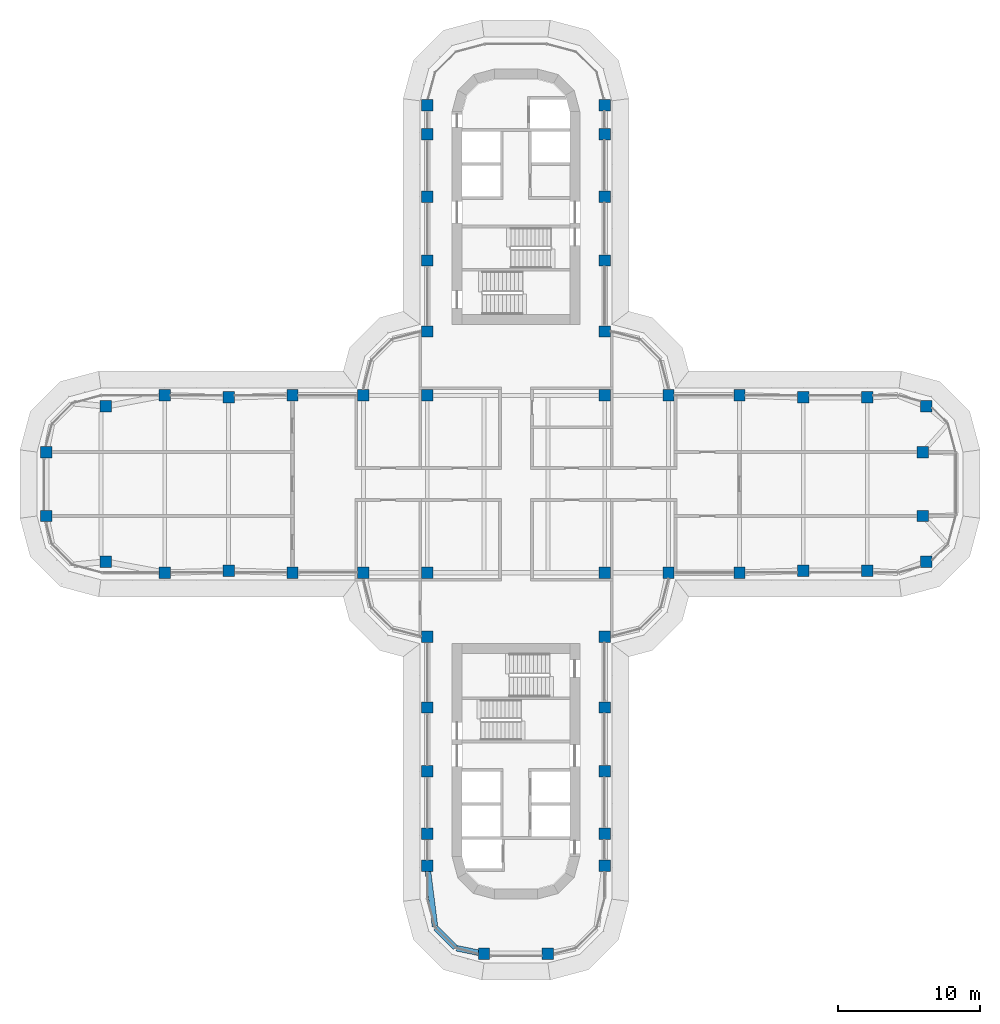
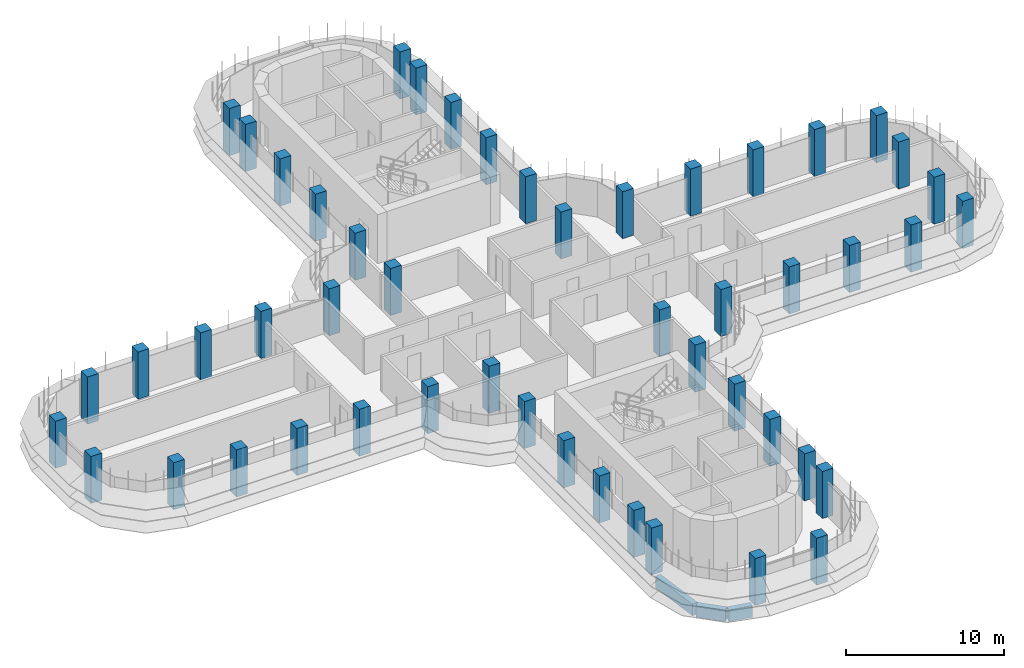
# One storey, part 1 of 20: 50 columns, 3 beams.
"""IFC4 building model written with IfcOpenShell, lengths in metres."""

import ifcopenshell
import ifcopenshell.guid

model = None  # the IFC model being written
_history = None  # IfcOwnerHistory: only IFC2X3 demands one
_inside = {}  # id of a spatial element -> (the spatial element, [elements in it])
_under = {}  # id of a project, library or spatial element -> (it, [spatial elements below it])
_declared = {}  # id of a project -> (the project, [libraries it declares])
_typed = {}  # id of a type object -> (the type object, [elements of that type])
_made_of = {}  # id of a material, layer set ... -> (it, [elements and type objects made of it])


def new_model(schema):
    """Start an empty IFC model of exactly this schema.

    Asked for "IFC4X3", IfcOpenShell would pick the latest addendum, in which some entities
    have other attributes; the version numbers below select the first issue.
    IFC2X3 requires an IfcOwnerHistory on every rooted entity: one is made here for all.
    """
    global model, _history
    if schema == "IFC4X3":
        model = ifcopenshell.file(schema_version=(4, 3, 0, 0))
    else:
        model = ifcopenshell.file(schema=schema)
    _inside.clear()
    _under.clear()
    _declared.clear()
    _typed.clear()
    _made_of.clear()
    _history = None
    if model.schema == "IFC2X3":
        org = make("IfcOrganization", Name="unknown")
        user = make(
            "IfcPersonAndOrganization",
            ThePerson=make("IfcPerson", FamilyName="unknown"),
            TheOrganization=org,
        )
        app = make(
            "IfcApplication",
            ApplicationDeveloper=org,
            Version="unknown",
            ApplicationFullName="unknown",
            ApplicationIdentifier="unknown",
        )
        _history = make(
            "IfcOwnerHistory",
            OwningUser=user,
            OwningApplication=app,
            ChangeAction="ADDED",
            CreationDate=0,
        )
    return model


def make(cls, **values):
    """One entity of the class cls with the attributes given. An attribute that is None is left unset."""
    return model.create_entity(
        cls, **{name: value for name, value in values.items() if value is not None}
    )


def rooted(cls, **values):
    """An entity with a GlobalId (a new one), such as an element, a storey or a relation."""
    return make(cls, GlobalId=ifcopenshell.guid.new(), OwnerHistory=_history, **values)


def si_unit(unit_type, name, prefix=None):
    """IfcSIUnit, for example si_unit("LENGTHUNIT", "METRE", prefix="MILLI")."""
    return make("IfcSIUnit", UnitType=unit_type, Prefix=prefix, Name=name)


def assignment(units):
    """IfcUnitAssignment: the units of a project."""
    return None if units is None else make("IfcUnitAssignment", Units=units)


def point(xyz):
    """IfcCartesianPoint."""
    return None if xyz is None else make("IfcCartesianPoint", Coordinates=xyz)


def direction(xyz):
    """IfcDirection."""
    return None if xyz is None else make("IfcDirection", DirectionRatios=xyz)


def frame(location, z_axis=None, x_axis=None):
    """IfcAxis2Placement3D, a coordinate frame: its origin and axes. An axis left out is left unset."""
    return make(
        "IfcAxis2Placement3D",
        Location=point(location),
        Axis=direction(z_axis),
        RefDirection=direction(x_axis),
    )


def frame_2d(location, x_axis=None):
    """IfcAxis2Placement2D, a coordinate frame in the plane: its origin and x axis."""
    return make(
        "IfcAxis2Placement2D", Location=point(location), RefDirection=direction(x_axis)
    )


def origin():
    """The frame at (0, 0, 0) with its axes left unset."""
    return frame((0.0, 0.0, 0.0))


def origin_2d():
    """The frame at (0, 0) in the plane with its x axis left unset."""
    return frame_2d((0.0, 0.0))


def place(relative_to, where):
    """IfcLocalPlacement: puts the frame where relative to a parent placement (None: the world)."""
    return make(
        "IfcLocalPlacement", PlacementRelTo=relative_to, RelativePlacement=where
    )


def context(
    kind, dimensions, precision=None, world=None, true_north=None, identifier=None
):
    """IfcGeometricRepresentationContext, for example the 3D "Model" context."""
    return make(
        "IfcGeometricRepresentationContext",
        ContextIdentifier=identifier,
        ContextType=kind,
        CoordinateSpaceDimension=dimensions,
        Precision=precision,
        WorldCoordinateSystem=world,
        TrueNorth=true_north,
    )


def subcontext(parent, identifier, kind, view, scale=None):
    """IfcGeometricRepresentationSubContext, for example "Body" below "Model"."""
    return make(
        "IfcGeometricRepresentationSubContext",
        ContextIdentifier=identifier,
        ContextType=kind,
        ParentContext=parent,
        TargetScale=scale,
        TargetView=view,
    )


def project(units=None, contexts=None):
    """IfcProject with its units and contexts."""
    return rooted(
        "IfcProject",
        Name="project",
        RepresentationContexts=contexts,
        UnitsInContext=assignment(units),
    )


def spatial(cls, under=None, at=None, **own):
    """A site, building, storey or space (cls), placed at a placement, below another one or the project."""
    s = rooted(cls, ObjectPlacement=at, **own)
    if under is not None:
        _under.setdefault(under.id(), (under, []))[1].append(s)
    return s


def profile(cls, at=None, kind="AREA", **sizes):
    """A parametric profile (cls). Its sizes go by their IFC names, for example OverallWidth=200.0."""
    return make(cls, ProfileType=kind, Position=at, **sizes)


def rectangle(**sizes):
    """IfcRectangleProfileDef."""
    return profile("IfcRectangleProfileDef", **sizes)


def extrude(swept, where, along, depth):
    """IfcExtrudedAreaSolid: the profile swept, set in the frame where, extruded along a direction by depth."""
    return make(
        "IfcExtrudedAreaSolid",
        SweptArea=swept,
        Position=where,
        ExtrudedDirection=direction(along),
        Depth=depth,
    )


def shape(context_of_items, identifier, shape_type, items):
    """IfcShapeRepresentation: the items that make up one representation, for example the "Body"."""
    return make(
        "IfcShapeRepresentation",
        ContextOfItems=context_of_items,
        RepresentationIdentifier=identifier,
        RepresentationType=shape_type,
        Items=items,
    )


def material(Name=None, Category=None):
    """IfcMaterial."""
    return make("IfcMaterial", Name=Name, Category=Category)


def material_profile(
    of_material, cross_section, Name=None, Category=None, Priority=None
):
    """IfcMaterialProfile: a cross section and its material."""
    return make(
        "IfcMaterialProfile",
        Name=Name,
        Material=of_material,
        Profile=cross_section,
        Priority=Priority,
        Category=Category,
    )


def profile_set(profiles, Name=None, composite=None):
    """IfcMaterialProfileSet."""
    return make(
        "IfcMaterialProfileSet",
        Name=Name,
        MaterialProfiles=profiles,
        CompositeProfile=composite,
    )


def made_of(thing, what):
    """Note that an element or type object is made of a material, layer set ...; save() writes the relation."""
    if what is not None:
        _made_of.setdefault(what.id(), (what, []))[1].append(thing)
    return thing


def type_object(cls, material=None, **own):
    """A type object (cls), such as IfcWallType, which elements share."""
    return made_of(rooted(cls, **own), material)


def element(
    cls,
    number,
    at=None,
    inside=None,
    cuts=None,
    type_object=None,
    material=None,
    context=None,
    identifier="Body",
    shape_type=None,
    held_by="IfcProductDefinitionShape",
    body=None,
    shapes=None,
    **own,
):
    """One element of the class cls, such as IfcWall. Its Tag is "e" and its number.

    at: its placement. inside: the storey or other place that contains it. cuts: it is an
    opening in that element (IfcRelVoidsElement). A single representation is given by context,
    identifier, shape_type and body (its items); several are given by shapes. held_by: the class
    of the entity that holds the representations. save() writes the other relations.
    """
    e = rooted(cls, Tag="e%d" % number, ObjectPlacement=at, **own)
    if body is not None:
        shapes = [shape(context, identifier, shape_type, body)]
    if shapes is not None:
        e.Representation = make(held_by, Representations=shapes)
    if inside is not None:
        _inside.setdefault(inside.id(), (inside, []))[1].append(e)
    if cuts is not None:
        rooted(
            "IfcRelVoidsElement", RelatingBuildingElement=cuts, RelatedOpeningElement=e
        )
    if type_object is not None:
        _typed.setdefault(type_object.id(), (type_object, []))[1].append(e)
    return made_of(e, material)


def aggregate(whole, parts):
    """IfcRelAggregates: a whole, such as a stair, and the parts it consists of."""
    return rooted("IfcRelAggregates", RelatingObject=whole, RelatedObjects=parts)


def save(model, path):
    """Write the relations noted so far, then the file.

    IfcRelAggregates (storeys below a building ...), IfcRelContainedInSpatialStructure (elements
    in a storey), IfcRelDefinesByType, IfcRelAssociatesMaterial and IfcRelDeclares: one each for
    every whole, place, type object, material and project.
    """
    for whole, parts in _under.values():
        aggregate(whole, parts)
    for where, things in _inside.values():
        rooted(
            "IfcRelContainedInSpatialStructure",
            RelatedElements=things,
            RelatingStructure=where,
        )
    for kind, things in _typed.values():
        rooted("IfcRelDefinesByType", RelatedObjects=things, RelatingType=kind)
    for what, things in _made_of.values():
        rooted("IfcRelAssociatesMaterial", RelatedObjects=things, RelatingMaterial=what)
    for by, libraries in _declared.values():
        rooted("IfcRelDeclares", RelatingContext=by, RelatedDefinitions=libraries)
    model.write(path)


model = new_model("IFC4")

# Units and contexts
model_context = context("Model", 3, precision=1e-05, world=origin(), true_north=direction((0.0, 1.0)))
body_context = subcontext(model_context, "Body", "Model", "MODEL_VIEW")
ifc_project = project(units=[si_unit("LENGTHUNIT", "METRE"), si_unit("AREAUNIT", "SQUARE_METRE"), si_unit("VOLUMEUNIT", "CUBIC_METRE"), si_unit("PLANEANGLEUNIT", "RADIAN"), si_unit("MASSUNIT", "GRAM", prefix="KILO")], contexts=[model_context])

# Site, building, storey
site_placement = place(None, origin())
site = spatial("IfcSite", under=ifc_project, at=site_placement, CompositionType="ELEMENT")
building_placement = place(site_placement, origin())
building = spatial("IfcBuilding", under=site, at=building_placement, Name="Zarbagh Exchange Tower", CompositionType="ELEMENT")
storey_placement = place(building_placement, frame((0.0, 0.0, 141.0)))
storey = spatial("IfcBuildingStorey", under=building, at=storey_placement, Name="L33", CompositionType="ELEMENT", Elevation=141.0)

# Columns
ifc_material = material(Name="Concrete C50/60", Category="concrete")
ifc_material_profile_1 = material_profile(ifc_material, rectangle(XDim=0.800048828125, YDim=0.800048828125, at=origin_2d()), Name="RC column 800 x 800 C50/60")
ifc_profile_set_1 = profile_set([ifc_material_profile_1], Name="Concrete C50/60")
column_type = type_object("IfcColumnType", Name="RC column 800 x 800 C50/60", PredefinedType="COLUMN", material=ifc_profile_set_1)
for number, where, z_axis, x_axis, name in (
    (1, (-33.110107421875, -2.25, 0.0), (0.0, 0.0, 1.0), (1.0, 0.0, 0.0), "C4 10/S"),
    (2, (-33.110107421875, 2.25, 0.0), (0.0, 0.0, 1.0), (1.0, 0.0, 0.0), "C4 10/T"),
    (3, (-28.907958984375, -5.47509765625, 0.0), (0.0, 0.0, 1.0), (1.0, 0.0, 0.0), "C4 11/R"),
    (4, (-28.907958984375, 5.47509765625, 0.0), (0.0, 0.0, 1.0), (1.0, 0.0, 0.0), "C4 11/U"),
    (5, (-24.75, -6.25, 0.0), (0.0, 0.0, 1.0), (1.0, 0.0, 0.0), "C4 12/R"),
    (6, (-24.75, 6.25, 0.0), (0.0, 0.0, 1.0), (1.0, 0.0, 0.0), "C4 12/U"),
    (7, (-20.25, -6.110107421875, 0.0), (0.0, 0.0, 1.0), (1.0, 0.0, 0.0), "C4 13/R"),
    (8, (-20.25, 6.110107421875, 0.0), (0.0, 0.0, 1.0), (1.0, 0.0, 0.0), "C4 13/U"),
    (9, (-15.75, -6.25, 0.0), (0.0, 0.0, 1.0), (1.0, 0.0, 0.0), "C4 14/R"),
    (10, (-15.75, 6.25, 0.0), (0.0, 0.0, 1.0), (1.0, 0.0, 0.0), "C4 14/U"),
    (11, (-10.75, -6.25, 0.0), (0.0, 0.0, 1.0), (1.0, 0.0, 0.0), "C4 15/R"),
    (12, (-10.75, 6.25, 0.0), (0.0, 0.0, 1.0), (1.0, 0.0, 0.0), "C4 15/U"),
    (13, (-6.25, -26.89990234375, 0.0), (0.0, 0.0, 1.0), (1.0, 0.0, 0.0), "C4 16/L"),
    (14, (-6.25, -24.64990234375, 0.0), (0.0, 0.0, 1.0), (1.0, 0.0, 0.0), "C4 16/M"),
    (15, (-6.25, -20.25, 0.0), (0.0, 0.0, 1.0), (1.0, 0.0, 0.0), "C4 16/N"),
    (16, (-6.25, -15.75, 0.0), (0.0, 0.0, 1.0), (1.0, 0.0, 0.0), "C4 16/P"),
    (17, (-6.25, -10.75, 0.0), (0.0, 0.0, 1.0), (1.0, 0.0, 0.0), "C4 16/Q"),
    (18, (-6.25, -6.25, 0.0), (0.0, 0.0, 1.0), (1.0, 0.0, 0.0), "C4 16/R"),
    (19, (-6.25, 6.25, 0.0), (0.0, 0.0, 1.0), (1.0, 0.0, 0.0), "C4 16/U"),
    (20, (-6.25, 10.75, 0.0), (0.0, 0.0, 1.0), (1.0, 0.0, 0.0), "C4 16/V"),
    (21, (-6.25, 15.75, 0.0), (0.0, 0.0, 1.0), (1.0, 0.0, 0.0), "C4 16/W"),
    (22, (-6.25, 20.25, 0.0), (0.0, 0.0, 1.0), (1.0, 0.0, 0.0), "C4 16/X"),
    (23, (-6.25, 24.64990234375, 0.0), (0.0, 0.0, 1.0), (1.0, 0.0, 0.0), "C4 16/Y"),
    (24, (-6.25, 26.699951171875, 0.0), (0.0, 0.0, 1.0), (1.0, 0.0, 0.0), "C4 16/Z"),
    (25, (-2.25, -33.110107421875, 0.0), (0.0, 0.0, 1.0), (1.0, 0.0, 0.0), "C4 17/K"),
    (26, (2.25, -33.110107421875, 0.0), (0.0, 0.0, 1.0), (1.0, 0.0, 0.0), "C4 18/K"),
    (27, (6.25, -26.89990234375, 0.0), (0.0, 0.0, 1.0), (1.0, 0.0, 0.0), "C4 19/L"),
    (28, (6.25, -24.64990234375, 0.0), (0.0, 0.0, 1.0), (1.0, 0.0, 0.0), "C4 19/M"),
    (29, (6.25, -20.25, 0.0), (0.0, 0.0, 1.0), (1.0, 0.0, 0.0), "C4 19/N"),
    (30, (6.25, -15.75, 0.0), (0.0, 0.0, 1.0), (1.0, 0.0, 0.0), "C4 19/P"),
    (31, (6.25, -10.75, 0.0), (0.0, 0.0, 1.0), (1.0, 0.0, 0.0), "C4 19/Q"),
    (32, (6.25, -6.25, 0.0), (0.0, 0.0, 1.0), (1.0, 0.0, 0.0), "C4 19/R"),
    (33, (6.25, 6.25, 0.0), (0.0, 0.0, 1.0), (1.0, 0.0, 0.0), "C4 19/U"),
    (34, (6.25, 10.75, 0.0), (0.0, 0.0, 1.0), (1.0, 0.0, 0.0), "C4 19/V"),
    (35, (6.25, 15.75, 0.0), (0.0, 0.0, 1.0), (1.0, 0.0, 0.0), "C4 19/W"),
    (36, (6.25, 20.25, 0.0), (0.0, 0.0, 1.0), (1.0, 0.0, 0.0), "C4 19/X"),
    (37, (6.25, 24.64990234375, 0.0), (0.0, 0.0, 1.0), (1.0, 0.0, 0.0), "C4 19/Y"),
    (38, (6.25, 26.699951171875, 0.0), (0.0, 0.0, 1.0), (1.0, 0.0, 0.0), "C4 19/Z"),
    (39, (10.75, -6.25, 0.0), (0.0, 0.0, 1.0), (1.0, 0.0, 0.0), "C4 20/R"),
    (40, (10.75, 6.25, 0.0), (0.0, 0.0, 1.0), (1.0, 0.0, 0.0), "C4 20/U"),
    (41, (15.75, -6.25, 0.0), (0.0, 0.0, 1.0), (1.0, 0.0, 0.0), "C4 21/R"),
    (42, (15.75, 6.25, 0.0), (0.0, 0.0, 1.0), (1.0, 0.0, 0.0), "C4 21/U"),
    (43, (20.25, -6.110107421875, 0.0), (0.0, 0.0, 1.0), (1.0, 0.0, 0.0), "C4 22/R"),
    (44, (20.25, 6.110107421875, 0.0), (0.0, 0.0, 1.0), (1.0, 0.0, 0.0), "C4 22/U"),
    (45, (24.75, -6.110107421875, 0.0), (0.0, 0.0, 1.0), (1.0, 0.0, 0.0), "C4 23/R"),
    (46, (24.75, 6.110107421875, 0.0), (0.0, 0.0, 1.0), (1.0, 0.0, 0.0), "C4 23/U"),
    (47, (28.907958984375, -5.47509765625, 0.0), (0.0, 0.0, 1.0), (1.0, 0.0, 0.0), "C4 24/R"),
    (48, (28.669921875, -2.25, 0.0), (0.0, 0.0, 1.0), (1.0, 0.0, 0.0), "C4 24/S"),
    (49, (28.669921875, 2.25, 0.0), (0.0, 0.0, 1.0), (1.0, 0.0, 0.0), "C4 24/T"),
    (50, (28.907958984375, 5.47509765625, 0.0), (0.0, 0.0, 1.0), (1.0, 0.0, 0.0), "C4 24/U"),
):
    element("IfcColumn", number, at=place(storey_placement, frame(where, z_axis=z_axis, x_axis=x_axis)), inside=storey, type_object=column_type, Name=name, PredefinedType="COLUMN", context=body_context, shape_type="SweptSolid", body=[
        extrude(rectangle(XDim=0.800048828125, YDim=0.800048828125, at=origin_2d()), origin(), (0.0, 0.0, 1.0), 3.64990234375),
    ])

# Beams
ifc_material_profile_2 = material_profile(ifc_material, rectangle(XDim=0.39990234375, YDim=0.89990234375, at=origin_2d()), Name="RC spandrel beam 400 x 900 C50/60")
ifc_profile_set_2 = profile_set([ifc_material_profile_2], Name="Concrete C50/60")
beam_type = type_object("IfcBeamType", Name="RC spandrel beam 400 x 900 C50/60", PredefinedType="SPANDREL", material=ifc_profile_set_2)
beam_1_placement = place(storey_placement, frame((-2.6416015625, -33.029052734375, -0.60009765625), z_axis=(-0.979350550491, 0.20216948151, 0.0), x_axis=(-0.20216948151, -0.979350550491, 0.0)))
element("IfcBeam", 51, at=beam_1_placement, inside=storey, type_object=beam_type, Name="RC spandrel beam", PredefinedType="SPANDREL", context=body_context, shape_type="SweptSolid", body=[
    extrude(rectangle(XDim=0.39990234375, YDim=0.89990234375, at=origin_2d()), origin(), (0.0, 0.0, 1.0), 1.573486328125),
])
beam_2_placement = place(storey_placement, frame((-4.283447265625, -32.656494140625, -0.60009765625), z_axis=(-0.707106781187, 0.707106781187, 0.0), x_axis=(-0.707106781187, -0.707106781187, 0.0)))
element("IfcBeam", 52, at=beam_2_placement, inside=storey, type_object=beam_type, Name="RC spandrel beam", PredefinedType="SPANDREL", context=body_context, shape_type="SweptSolid", body=[
    extrude(rectangle(XDim=0.39990234375, YDim=0.89990234375, at=origin_2d()), origin(), (0.0, 0.0, 1.0), 1.93310546875),
])
beam_3_placement = place(storey_placement, frame((-5.70751953125, -31.17333984375, -0.60009765625), z_axis=(-0.125956921243, 0.992035712054, 0.0), x_axis=(-0.992035712054, -0.125956921243, 0.0)))
element("IfcBeam", 53, at=beam_3_placement, inside=storey, type_object=beam_type, Name="RC spandrel beam", PredefinedType="SPANDREL", context=body_context, shape_type="SweptSolid", body=[
    extrude(rectangle(XDim=0.39990234375, YDim=0.89990234375, at=origin_2d()), origin(), (0.0, 0.0, 1.0), 3.907470703125),
])

save(model, "model.ifc")
